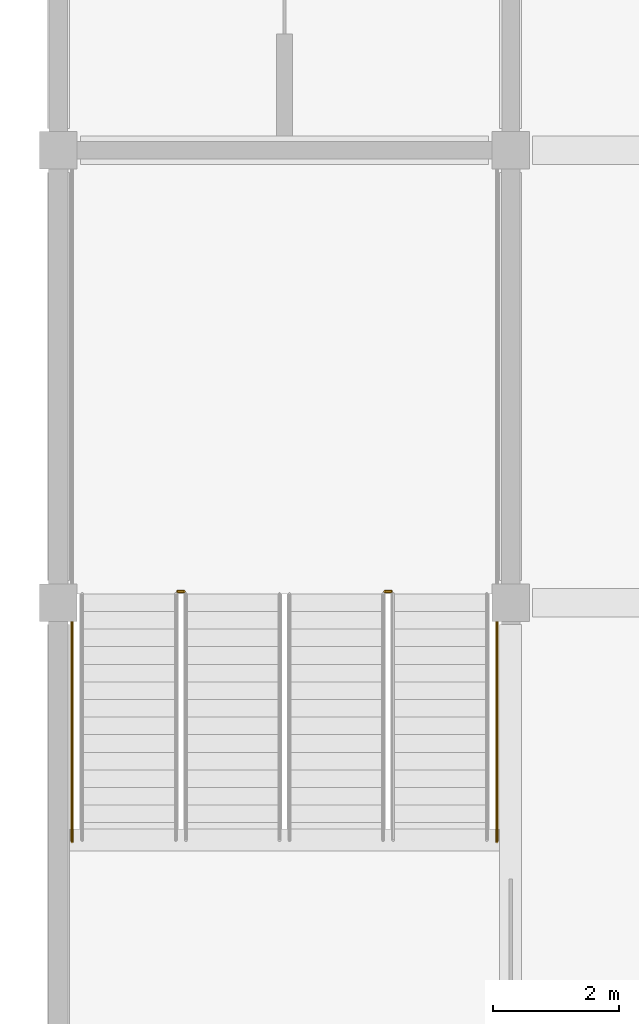
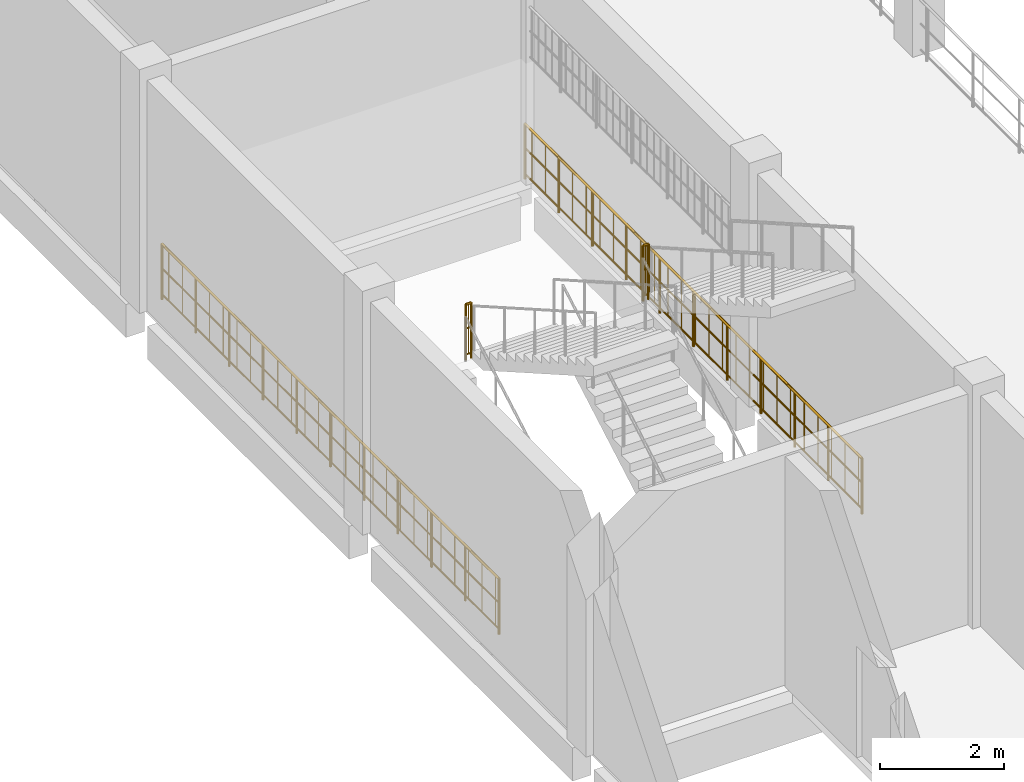
# One storey, part 82 of 99: 4 railings.
"""IFC4 building model written with IfcOpenShell, lengths in metres."""

from ifc_helpers import new_model, si_unit, direction, frame, origin, origin_2d, place, context, subcontext, project, spatial, circle, extrude, material, type_object, element, save


model = new_model("IFC4")

# Units and contexts
model_context = context("Model", 3, precision=1e-05, world=origin(), true_north=direction((0.0, 1.0)))
body_context = subcontext(model_context, "Body", "Model", "MODEL_VIEW")
ifc_project = project(units=[si_unit("LENGTHUNIT", "METRE"), si_unit("AREAUNIT", "SQUARE_METRE"), si_unit("VOLUMEUNIT", "CUBIC_METRE"), si_unit("PLANEANGLEUNIT", "RADIAN"), si_unit("MASSUNIT", "GRAM", prefix="KILO")], contexts=[model_context])

# Site, building, storey
site_placement = place(None, origin())
site = spatial("IfcSite", under=ifc_project, at=site_placement, CompositionType="ELEMENT")
building_placement = place(site_placement, origin())
building = spatial("IfcBuilding", under=site, at=building_placement, Name="Vesperath Aquatics Centre", CompositionType="ELEMENT")
storey_placement = place(building_placement, frame((0.0, 0.0, 5.39990234375)))
storey = spatial("IfcBuildingStorey", under=building, at=storey_placement, Name="L01", CompositionType="ELEMENT", Elevation=5.39990234375)

# Railings
ifc_material = material(Name="Powder-coated galvanized steel safety guard", Category="steel")
railing_type = type_object("IfcRailingType", Name="RL-GRD01", PredefinedType="GUARDRAIL", material=ifc_material)
railing_1_placement = place(storey_placement, frame((1.89990234375, 50.580078125, 2.400146484375)))
element("IfcRailing", 1, at=railing_1_placement, inside=storey, type_object=railing_type, Name="Stair ST11A Half-Landing Slot Guard GR02 L01", PredefinedType="GUARDRAIL", context=body_context, shape_type="SweptSolid", body=[
    extrude(circle(Radius=0.02392578125, at=origin_2d()), frame((0.0, 0.0, 1.0859375), z_axis=(1.0, 0.0, 0.0), x_axis=(0.0, 1.0, 0.0)), (0.0, 0.0, 1.0), 0.10009765625),
    extrude(circle(Radius=0.01611328125, at=origin_2d()), frame((0.0, 0.0, 0.10009765625), z_axis=(1.0, 0.0, 0.0), x_axis=(0.0, 1.0, 0.0)), (0.0, 0.0, 1.0), 0.10009765625),
    extrude(circle(Radius=0.01611328125, at=origin_2d()), frame((0.0, 0.0, 0.610595703125), z_axis=(1.0, 0.0, 0.0), x_axis=(0.0, 1.0, 0.0)), (0.0, 0.0, 1.0), 0.10009765625),
    extrude(circle(Radius=0.009033203125, at=origin_2d()), frame((0.050048828125, 0.0, 0.10009765625)), (0.0, 0.0, 1.0), 0.9619140625),
    extrude(circle(Radius=0.02197265625, at=origin_2d()), origin(), (0.0, 0.0, 1.0), 1.0859375),
    extrude(circle(Radius=0.02197265625, at=origin_2d()), frame((0.10009765625, 0.0, 0.0)), (0.0, 0.0, 1.0), 1.0859375),
])
railing_2_placement = place(storey_placement, frame((0.219970703125, 46.60009765625, 0.0)))
element("IfcRailing", 2, at=railing_2_placement, inside=storey, type_object=railing_type, Name="Stair ST11A Shaft Side Guard GR02 L01", PredefinedType="GUARDRAIL", context=body_context, shape_type="SweptSolid", body=[
    extrude(circle(Radius=0.02392578125, at=origin_2d()), frame((0.0, 0.0, 1.0859375), z_axis=(0.0, 1.0, 0.0), x_axis=(-1.0, 0.0, 0.0)), (0.0, 0.0, 1.0), 10.869873046875),
    extrude(circle(Radius=0.01611328125, at=origin_2d()), frame((0.0, 0.0, 0.10009765625), z_axis=(0.0, 1.0, 0.0), x_axis=(-1.0, 0.0, 0.0)), (0.0, 0.0, 1.0), 10.869873046875),
    extrude(circle(Radius=0.01611328125, at=origin_2d()), frame((0.0, 0.0, 0.610595703125), z_axis=(0.0, 1.0, 0.0), x_axis=(-1.0, 0.0, 0.0)), (0.0, 0.0, 1.0), 10.869873046875),
    extrude(circle(Radius=0.009033203125, at=origin_2d()), frame((0.0, 0.10986328125, 0.10009765625)), (0.0, 0.0, 1.0), 0.9619140625),
    extrude(circle(Radius=0.009033203125, at=origin_2d()), frame((0.0, 0.549072265625, 0.10009765625)), (0.0, 0.0, 1.0), 0.9619140625),
    extrude(circle(Radius=0.009033203125, at=origin_2d()), frame((0.0, 0.98828125, 0.10009765625)), (0.0, 0.0, 1.0), 0.9619140625),
    extrude(circle(Radius=0.009033203125, at=origin_2d()), frame((0.0, 1.42724609375, 0.10009765625)), (0.0, 0.0, 1.0), 0.9619140625),
    extrude(circle(Radius=0.009033203125, at=origin_2d()), frame((0.0, 1.866455078125, 0.10009765625)), (0.0, 0.0, 1.0), 0.9619140625),
    extrude(circle(Radius=0.009033203125, at=origin_2d()), frame((0.0, 2.3056640625, 0.10009765625)), (0.0, 0.0, 1.0), 0.9619140625),
    extrude(circle(Radius=0.009033203125, at=origin_2d()), frame((0.0, 2.744873046875, 0.10009765625)), (0.0, 0.0, 1.0), 0.9619140625),
    extrude(circle(Radius=0.009033203125, at=origin_2d()), frame((0.0, 3.18408203125, 0.10009765625)), (0.0, 0.0, 1.0), 0.9619140625),
    extrude(circle(Radius=0.009033203125, at=origin_2d()), frame((0.0, 3.623291015625, 0.10009765625)), (0.0, 0.0, 1.0), 0.9619140625),
    extrude(circle(Radius=0.009033203125, at=origin_2d()), frame((0.0, 4.0625, 0.10009765625)), (0.0, 0.0, 1.0), 0.9619140625),
    extrude(circle(Radius=0.009033203125, at=origin_2d()), frame((0.0, 4.501708984375, 0.10009765625)), (0.0, 0.0, 1.0), 0.9619140625),
    extrude(circle(Radius=0.009033203125, at=origin_2d()), frame((0.0, 4.94091796875, 0.10009765625)), (0.0, 0.0, 1.0), 0.9619140625),
    extrude(circle(Radius=0.009033203125, at=origin_2d()), frame((0.0, 5.380126953125, 0.10009765625)), (0.0, 0.0, 1.0), 0.9619140625),
    extrude(circle(Radius=0.009033203125, at=origin_2d()), frame((0.0, 5.8193359375, 0.10009765625)), (0.0, 0.0, 1.0), 0.9619140625),
    extrude(circle(Radius=0.009033203125, at=origin_2d()), frame((0.0, 6.25830078125, 0.10009765625)), (0.0, 0.0, 1.0), 0.9619140625),
    extrude(circle(Radius=0.009033203125, at=origin_2d()), frame((0.0, 6.697509765625, 0.10009765625)), (0.0, 0.0, 1.0), 0.9619140625),
    extrude(circle(Radius=0.009033203125, at=origin_2d()), frame((0.0, 7.13671875, 0.10009765625)), (0.0, 0.0, 1.0), 0.9619140625),
    extrude(circle(Radius=0.009033203125, at=origin_2d()), frame((0.0, 7.575927734375, 0.10009765625)), (0.0, 0.0, 1.0), 0.9619140625),
    extrude(circle(Radius=0.009033203125, at=origin_2d()), frame((0.0, 8.01513671875, 0.10009765625)), (0.0, 0.0, 1.0), 0.9619140625),
    extrude(circle(Radius=0.009033203125, at=origin_2d()), frame((0.0, 8.454345703125, 0.10009765625)), (0.0, 0.0, 1.0), 0.9619140625),
    extrude(circle(Radius=0.009033203125, at=origin_2d()), frame((0.0, 8.8935546875, 0.10009765625)), (0.0, 0.0, 1.0), 0.9619140625),
    extrude(circle(Radius=0.009033203125, at=origin_2d()), frame((0.0, 9.332763671875, 0.10009765625)), (0.0, 0.0, 1.0), 0.9619140625),
    extrude(circle(Radius=0.009033203125, at=origin_2d()), frame((0.0, 9.77197265625, 0.10009765625)), (0.0, 0.0, 1.0), 0.9619140625),
    extrude(circle(Radius=0.009033203125, at=origin_2d()), frame((0.0, 10.211181640625, 0.10009765625)), (0.0, 0.0, 1.0), 0.9619140625),
    extrude(circle(Radius=0.009033203125, at=origin_2d()), frame((0.0, 10.650390625, 0.10009765625)), (0.0, 0.0, 1.0), 0.9619140625),
    extrude(circle(Radius=0.02197265625, at=origin_2d()), origin(), (0.0, 0.0, 1.0), 1.0859375),
    extrude(circle(Radius=0.02197265625, at=origin_2d()), frame((0.0, 1.0869140625, 0.0)), (0.0, 0.0, 1.0), 1.0859375),
    extrude(circle(Radius=0.02197265625, at=origin_2d()), frame((0.0, 2.174072265625, 0.0)), (0.0, 0.0, 1.0), 1.0859375),
    extrude(circle(Radius=0.02197265625, at=origin_2d()), frame((0.0, 3.260986328125, 0.0)), (0.0, 0.0, 1.0), 1.0859375),
    extrude(circle(Radius=0.02197265625, at=origin_2d()), frame((0.0, 4.347900390625, 0.0)), (0.0, 0.0, 1.0), 1.0859375),
    extrude(circle(Radius=0.02197265625, at=origin_2d()), frame((0.0, 5.43505859375, 0.0)), (0.0, 0.0, 1.0), 1.0859375),
    extrude(circle(Radius=0.02197265625, at=origin_2d()), frame((0.0, 6.52197265625, 0.0)), (0.0, 0.0, 1.0), 1.0859375),
    extrude(circle(Radius=0.02197265625, at=origin_2d()), frame((0.0, 7.60888671875, 0.0)), (0.0, 0.0, 1.0), 1.0859375),
    extrude(circle(Radius=0.02197265625, at=origin_2d()), frame((0.0, 8.69580078125, 0.0)), (0.0, 0.0, 1.0), 1.0859375),
    extrude(circle(Radius=0.02197265625, at=origin_2d()), frame((0.0, 9.782958984375, 0.0)), (0.0, 0.0, 1.0), 1.0859375),
    extrude(circle(Radius=0.02197265625, at=origin_2d()), frame((0.0, 10.869873046875, 0.0)), (0.0, 0.0, 1.0), 1.0859375),
])
railing_3_placement = place(storey_placement, frame((5.199951171875, 50.580078125, 2.400146484375)))
element("IfcRailing", 3, at=railing_3_placement, inside=storey, type_object=railing_type, Name="Stair ST11B Half-Landing Slot Guard GR02 L01", PredefinedType="GUARDRAIL", context=body_context, shape_type="SweptSolid", body=[
    extrude(circle(Radius=0.02392578125, at=origin_2d()), frame((0.0, 0.0, 1.0859375), z_axis=(1.0, 0.0, 0.0), x_axis=(0.0, 1.0, 0.0)), (0.0, 0.0, 1.0), 0.10009765625),
    extrude(circle(Radius=0.01611328125, at=origin_2d()), frame((0.0, 0.0, 0.10009765625), z_axis=(1.0, 0.0, 0.0), x_axis=(0.0, 1.0, 0.0)), (0.0, 0.0, 1.0), 0.10009765625),
    extrude(circle(Radius=0.01611328125, at=origin_2d()), frame((0.0, 0.0, 0.610595703125), z_axis=(1.0, 0.0, 0.0), x_axis=(0.0, 1.0, 0.0)), (0.0, 0.0, 1.0), 0.10009765625),
    extrude(circle(Radius=0.009033203125, at=origin_2d()), frame((0.050048828125, 0.0, 0.10009765625)), (0.0, 0.0, 1.0), 0.9619140625),
    extrude(circle(Radius=0.02197265625, at=origin_2d()), origin(), (0.0, 0.0, 1.0), 1.0859375),
    extrude(circle(Radius=0.02197265625, at=origin_2d()), frame((0.10009765625, 0.0, 0.0)), (0.0, 0.0, 1.0), 1.0859375),
])
railing_4_placement = place(storey_placement, frame((6.97998046875, 46.60009765625, 0.0)))
element("IfcRailing", 4, at=railing_4_placement, inside=storey, type_object=railing_type, Name="Stair ST11B Shaft Side Guard GR02 L01", PredefinedType="GUARDRAIL", context=body_context, shape_type="SweptSolid", body=[
    extrude(circle(Radius=0.02392578125, at=origin_2d()), frame((0.0, 0.0, 1.0859375), z_axis=(0.0, 1.0, 0.0), x_axis=(-1.0, 0.0, 0.0)), (0.0, 0.0, 1.0), 10.869873046875),
    extrude(circle(Radius=0.01611328125, at=origin_2d()), frame((0.0, 0.0, 0.10009765625), z_axis=(0.0, 1.0, 0.0), x_axis=(-1.0, 0.0, 0.0)), (0.0, 0.0, 1.0), 10.869873046875),
    extrude(circle(Radius=0.01611328125, at=origin_2d()), frame((0.0, 0.0, 0.610595703125), z_axis=(0.0, 1.0, 0.0), x_axis=(-1.0, 0.0, 0.0)), (0.0, 0.0, 1.0), 10.869873046875),
    extrude(circle(Radius=0.009033203125, at=origin_2d()), frame((0.0, 0.10986328125, 0.10009765625)), (0.0, 0.0, 1.0), 0.9619140625),
    extrude(circle(Radius=0.009033203125, at=origin_2d()), frame((0.0, 0.549072265625, 0.10009765625)), (0.0, 0.0, 1.0), 0.9619140625),
    extrude(circle(Radius=0.009033203125, at=origin_2d()), frame((0.0, 0.98828125, 0.10009765625)), (0.0, 0.0, 1.0), 0.9619140625),
    extrude(circle(Radius=0.009033203125, at=origin_2d()), frame((0.0, 1.42724609375, 0.10009765625)), (0.0, 0.0, 1.0), 0.9619140625),
    extrude(circle(Radius=0.009033203125, at=origin_2d()), frame((0.0, 1.866455078125, 0.10009765625)), (0.0, 0.0, 1.0), 0.9619140625),
    extrude(circle(Radius=0.009033203125, at=origin_2d()), frame((0.0, 2.3056640625, 0.10009765625)), (0.0, 0.0, 1.0), 0.9619140625),
    extrude(circle(Radius=0.009033203125, at=origin_2d()), frame((0.0, 2.744873046875, 0.10009765625)), (0.0, 0.0, 1.0), 0.9619140625),
    extrude(circle(Radius=0.009033203125, at=origin_2d()), frame((0.0, 3.18408203125, 0.10009765625)), (0.0, 0.0, 1.0), 0.9619140625),
    extrude(circle(Radius=0.009033203125, at=origin_2d()), frame((0.0, 3.623291015625, 0.10009765625)), (0.0, 0.0, 1.0), 0.9619140625),
    extrude(circle(Radius=0.009033203125, at=origin_2d()), frame((0.0, 4.0625, 0.10009765625)), (0.0, 0.0, 1.0), 0.9619140625),
    extrude(circle(Radius=0.009033203125, at=origin_2d()), frame((0.0, 4.501708984375, 0.10009765625)), (0.0, 0.0, 1.0), 0.9619140625),
    extrude(circle(Radius=0.009033203125, at=origin_2d()), frame((0.0, 4.94091796875, 0.10009765625)), (0.0, 0.0, 1.0), 0.9619140625),
    extrude(circle(Radius=0.009033203125, at=origin_2d()), frame((0.0, 5.380126953125, 0.10009765625)), (0.0, 0.0, 1.0), 0.9619140625),
    extrude(circle(Radius=0.009033203125, at=origin_2d()), frame((0.0, 5.8193359375, 0.10009765625)), (0.0, 0.0, 1.0), 0.9619140625),
    extrude(circle(Radius=0.009033203125, at=origin_2d()), frame((0.0, 6.25830078125, 0.10009765625)), (0.0, 0.0, 1.0), 0.9619140625),
    extrude(circle(Radius=0.009033203125, at=origin_2d()), frame((0.0, 6.697509765625, 0.10009765625)), (0.0, 0.0, 1.0), 0.9619140625),
    extrude(circle(Radius=0.009033203125, at=origin_2d()), frame((0.0, 7.13671875, 0.10009765625)), (0.0, 0.0, 1.0), 0.9619140625),
    extrude(circle(Radius=0.009033203125, at=origin_2d()), frame((0.0, 7.575927734375, 0.10009765625)), (0.0, 0.0, 1.0), 0.9619140625),
    extrude(circle(Radius=0.009033203125, at=origin_2d()), frame((0.0, 8.01513671875, 0.10009765625)), (0.0, 0.0, 1.0), 0.9619140625),
    extrude(circle(Radius=0.009033203125, at=origin_2d()), frame((0.0, 8.454345703125, 0.10009765625)), (0.0, 0.0, 1.0), 0.9619140625),
    extrude(circle(Radius=0.009033203125, at=origin_2d()), frame((0.0, 8.8935546875, 0.10009765625)), (0.0, 0.0, 1.0), 0.9619140625),
    extrude(circle(Radius=0.009033203125, at=origin_2d()), frame((0.0, 9.332763671875, 0.10009765625)), (0.0, 0.0, 1.0), 0.9619140625),
    extrude(circle(Radius=0.009033203125, at=origin_2d()), frame((0.0, 9.77197265625, 0.10009765625)), (0.0, 0.0, 1.0), 0.9619140625),
    extrude(circle(Radius=0.009033203125, at=origin_2d()), frame((0.0, 10.211181640625, 0.10009765625)), (0.0, 0.0, 1.0), 0.9619140625),
    extrude(circle(Radius=0.009033203125, at=origin_2d()), frame((0.0, 10.650390625, 0.10009765625)), (0.0, 0.0, 1.0), 0.9619140625),
    extrude(circle(Radius=0.02197265625, at=origin_2d()), origin(), (0.0, 0.0, 1.0), 1.0859375),
    extrude(circle(Radius=0.02197265625, at=origin_2d()), frame((0.0, 1.0869140625, 0.0)), (0.0, 0.0, 1.0), 1.0859375),
    extrude(circle(Radius=0.02197265625, at=origin_2d()), frame((0.0, 2.174072265625, 0.0)), (0.0, 0.0, 1.0), 1.0859375),
    extrude(circle(Radius=0.02197265625, at=origin_2d()), frame((0.0, 3.260986328125, 0.0)), (0.0, 0.0, 1.0), 1.0859375),
    extrude(circle(Radius=0.02197265625, at=origin_2d()), frame((0.0, 4.347900390625, 0.0)), (0.0, 0.0, 1.0), 1.0859375),
    extrude(circle(Radius=0.02197265625, at=origin_2d()), frame((0.0, 5.43505859375, 0.0)), (0.0, 0.0, 1.0), 1.0859375),
    extrude(circle(Radius=0.02197265625, at=origin_2d()), frame((0.0, 6.52197265625, 0.0)), (0.0, 0.0, 1.0), 1.0859375),
    extrude(circle(Radius=0.02197265625, at=origin_2d()), frame((0.0, 7.60888671875, 0.0)), (0.0, 0.0, 1.0), 1.0859375),
    extrude(circle(Radius=0.02197265625, at=origin_2d()), frame((0.0, 8.69580078125, 0.0)), (0.0, 0.0, 1.0), 1.0859375),
    extrude(circle(Radius=0.02197265625, at=origin_2d()), frame((0.0, 9.782958984375, 0.0)), (0.0, 0.0, 1.0), 1.0859375),
    extrude(circle(Radius=0.02197265625, at=origin_2d()), frame((0.0, 10.869873046875, 0.0)), (0.0, 0.0, 1.0), 1.0859375),
])

save(model, "model.ifc")
